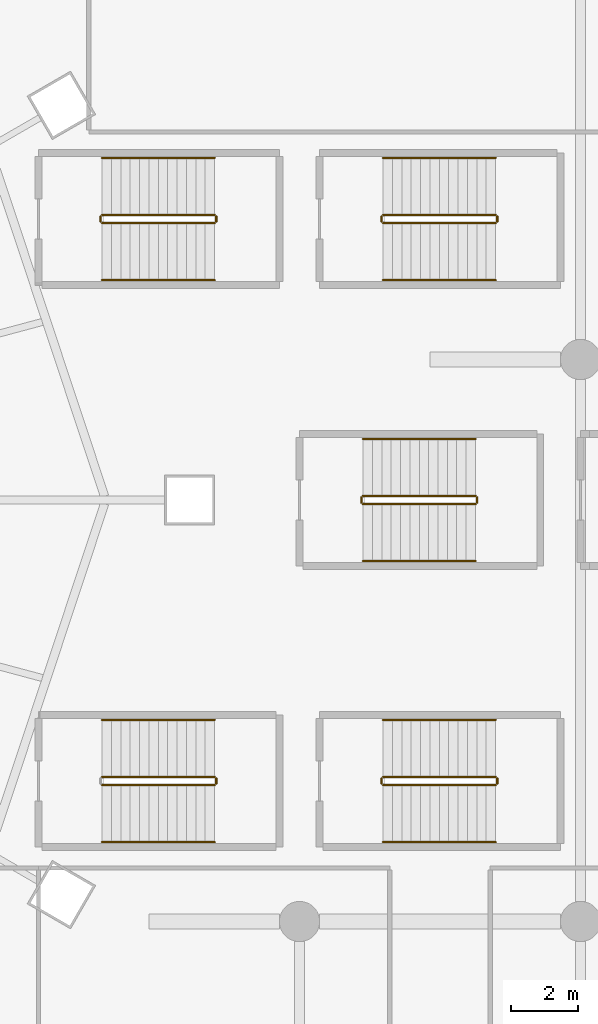
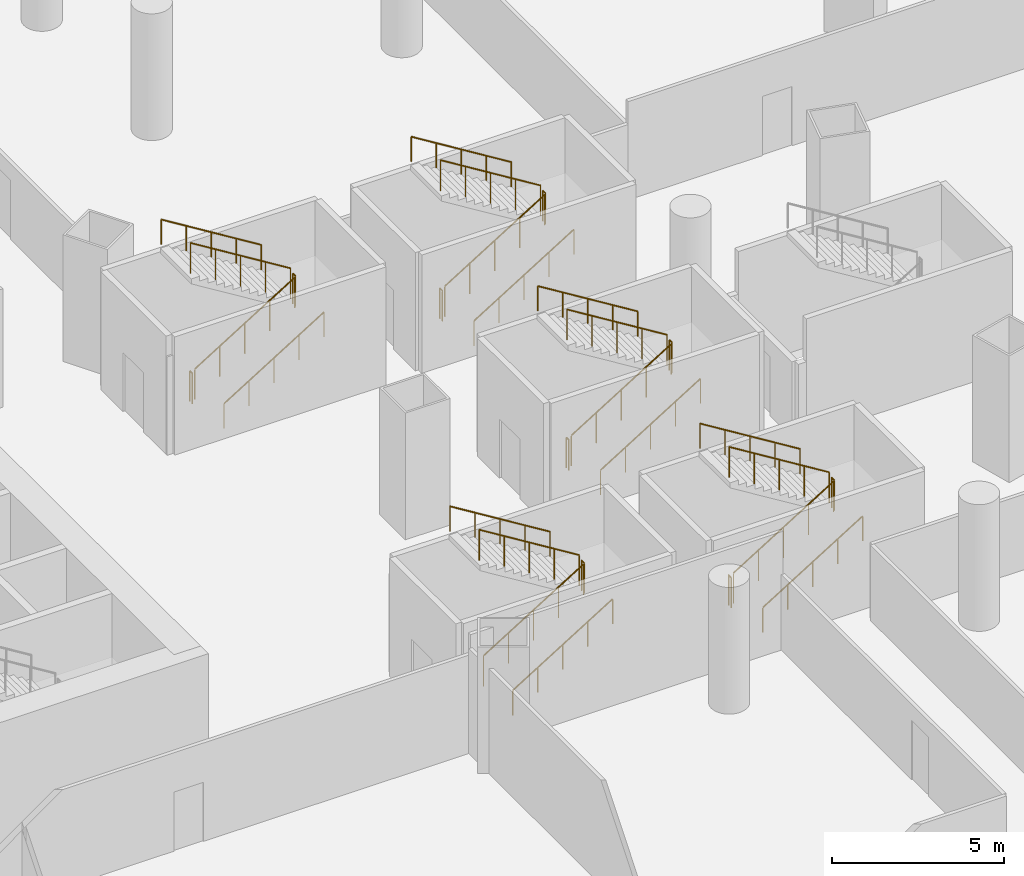
# One storey, part 38 of 43: 29 railings.
"""IFC4 building model written with IfcOpenShell, lengths in metres."""

from ifc_helpers import new_model, si_unit, direction, frame, origin, origin_2d, place, context, subcontext, project, spatial, circle, extrude, material, type_object, element, save


model = new_model("IFC4")

# Units and contexts
model_context = context("Model", 3, precision=1e-05, world=origin(), true_north=direction((0.0, 1.0)))
body_context = subcontext(model_context, "Body", "Model", "MODEL_VIEW")
ifc_project = project(units=[si_unit("LENGTHUNIT", "METRE"), si_unit("AREAUNIT", "SQUARE_METRE"), si_unit("VOLUMEUNIT", "CUBIC_METRE"), si_unit("PLANEANGLEUNIT", "RADIAN"), si_unit("MASSUNIT", "GRAM", prefix="KILO")], contexts=[model_context])

# Site, building, storey
site_placement = place(None, origin())
site = spatial("IfcSite", under=ifc_project, at=site_placement, CompositionType="ELEMENT")
building_placement = place(site_placement, origin())
building = spatial("IfcBuilding", under=site, at=building_placement, Name="Rimbun Link Towers", CompositionType="ELEMENT")
storey_placement = place(building_placement, frame((0.0, 0.0, 12.0)))
storey = spatial("IfcBuildingStorey", under=building, at=storey_placement, Name="L02", CompositionType="ELEMENT", Elevation=12.0)

# Railings
ifc_material_1 = material(Name="Stainless steel grade 316", Category="steel")
railing_type_1 = type_object("IfcRailingType", Name="Stair guard", PredefinedType="GUARDRAIL", material=ifc_material_1)
railing_1_placement = place(storey_placement, frame((-10.10009765625, -8.52490234375, 0.173095703125)))
element("IfcRailing", 1, at=railing_1_placement, inside=storey, type_object=railing_type_1, Name="L02 PS1 stair guard 1", PredefinedType="GUARDRAIL", context=body_context, shape_type="SweptSolid", body=[
    extrude(circle(Radius=0.02392578125, at=origin_2d()), frame((0.0, 0.0, 1.076171875), z_axis=(0.850623216509, 0.0, 0.525775754039), x_axis=(0.0, 1.0, 0.0)), (0.0, 0.0, 1.0), 3.9501953125),
    extrude(circle(Radius=0.02099609375, at=origin_2d()), origin(), (0.0, 0.0, 1.0), 1.052001953125),
    extrude(circle(Radius=0.02099609375, at=origin_2d()), frame((0.840087890625, 0.0, 0.519287109375)), (0.0, 0.0, 1.0), 1.052001953125),
    extrude(circle(Radius=0.02099609375, at=origin_2d()), frame((1.68017578125, 0.0, 1.03857421875)), (0.0, 0.0, 1.0), 1.052001953125),
    extrude(circle(Radius=0.02099609375, at=origin_2d()), frame((2.52001953125, 0.0, 1.5576171875)), (0.0, 0.0, 1.0), 1.052001953125),
    extrude(circle(Radius=0.02099609375, at=origin_2d()), frame((3.360107421875, 0.0, 2.076904296875)), (0.0, 0.0, 1.0), 1.052001953125),
])
railing_2_placement = place(storey_placement, frame((-6.68994140625, -8.47509765625, 2.25)))
element("IfcRailing", 2, at=railing_2_placement, inside=storey, type_object=railing_type_1, Name="L02 PS1 stair guard 2", PredefinedType="GUARDRAIL", context=body_context, shape_type="SweptSolid", body=[
    extrude(circle(Radius=0.02392578125, at=origin_2d()), frame((0.0, 0.0, 1.076171875), z_axis=(0.0, 1.0, 0.0), x_axis=(-1.0, 0.0, 0.0)), (0.0, 0.0, 1.0), 0.150146484375),
    extrude(circle(Radius=0.02099609375, at=origin_2d()), origin(), (0.0, 0.0, 1.0), 1.052001953125),
    extrude(circle(Radius=0.02099609375, at=origin_2d()), frame((0.0, 0.150146484375, 0.0)), (0.0, 0.0, 1.0), 1.052001953125),
])
railing_3_placement = place(storey_placement, frame((-6.739990234375, -8.27490234375, 2.423095703125)))
element("IfcRailing", 3, at=railing_3_placement, inside=storey, type_object=railing_type_1, Name="L02 PS1 stair guard 3", PredefinedType="GUARDRAIL", context=body_context, shape_type="SweptSolid", body=[
    extrude(circle(Radius=0.02392578125, at=origin_2d()), frame((0.0, 0.0, 1.076171875), z_axis=(-0.850623216509, 0.0, 0.525775754039), x_axis=(0.0, -1.0, 0.0)), (0.0, 0.0, 1.0), 3.9501953125),
    extrude(circle(Radius=0.02099609375, at=origin_2d()), origin(), (0.0, 0.0, 1.0), 1.052001953125),
    extrude(circle(Radius=0.02099609375, at=origin_2d()), frame((-0.840087890625, 0.0, 0.519287109375)), (0.0, 0.0, 1.0), 1.052001953125),
    extrude(circle(Radius=0.02099609375, at=origin_2d()), frame((-1.68017578125, 0.0, 1.03857421875)), (0.0, 0.0, 1.0), 1.052001953125),
    extrude(circle(Radius=0.02099609375, at=origin_2d()), frame((-2.52001953125, 0.0, 1.5576171875)), (0.0, 0.0, 1.0), 1.052001953125),
    extrude(circle(Radius=0.02099609375, at=origin_2d()), frame((-3.360107421875, 0.0, 2.076904296875)), (0.0, 0.0, 1.0), 1.052001953125),
])
railing_4_placement = place(storey_placement, frame((-1.699951171875, -8.52490234375, 0.173095703125)))
element("IfcRailing", 4, at=railing_4_placement, inside=storey, type_object=railing_type_1, Name="L02 PS2 stair guard 1", PredefinedType="GUARDRAIL", context=body_context, shape_type="SweptSolid", body=[
    extrude(circle(Radius=0.02392578125, at=origin_2d()), frame((0.0, 0.0, 1.076171875), z_axis=(0.850606129759, 0.0, 0.525803396734), x_axis=(0.0, 1.0, 0.0)), (0.0, 0.0, 1.0), 3.949951171875),
    extrude(circle(Radius=0.02099609375, at=origin_2d()), origin(), (0.0, 0.0, 1.0), 1.052001953125),
    extrude(circle(Radius=0.02099609375, at=origin_2d()), frame((0.83984375, 0.0, 0.519287109375)), (0.0, 0.0, 1.0), 1.052001953125),
    extrude(circle(Radius=0.02099609375, at=origin_2d()), frame((1.679931640625, 0.0, 1.03857421875)), (0.0, 0.0, 1.0), 1.052001953125),
    extrude(circle(Radius=0.02099609375, at=origin_2d()), frame((2.52001953125, 0.0, 1.5576171875)), (0.0, 0.0, 1.0), 1.052001953125),
    extrude(circle(Radius=0.02099609375, at=origin_2d()), frame((3.35986328125, 0.0, 2.076904296875)), (0.0, 0.0, 1.0), 1.052001953125),
])
railing_5_placement = place(storey_placement, frame((1.7099609375, -8.47509765625, 2.25)))
element("IfcRailing", 5, at=railing_5_placement, inside=storey, type_object=railing_type_1, Name="L02 PS2 stair guard 2", PredefinedType="GUARDRAIL", context=body_context, shape_type="SweptSolid", body=[
    extrude(circle(Radius=0.02392578125, at=origin_2d()), frame((0.0, 0.0, 1.076171875), z_axis=(0.0, 1.0, 0.0), x_axis=(-1.0, 0.0, 0.0)), (0.0, 0.0, 1.0), 0.150146484375),
    extrude(circle(Radius=0.02099609375, at=origin_2d()), origin(), (0.0, 0.0, 1.0), 1.052001953125),
    extrude(circle(Radius=0.02099609375, at=origin_2d()), frame((0.0, 0.150146484375, 0.0)), (0.0, 0.0, 1.0), 1.052001953125),
])
railing_6_placement = place(storey_placement, frame((1.659912109375, -8.27490234375, 2.423095703125)))
element("IfcRailing", 6, at=railing_6_placement, inside=storey, type_object=railing_type_1, Name="L02 PS2 stair guard 3", PredefinedType="GUARDRAIL", context=body_context, shape_type="SweptSolid", body=[
    extrude(circle(Radius=0.02392578125, at=origin_2d()), frame((0.0, 0.0, 1.076171875), z_axis=(-0.850606129759, 0.0, 0.525803396734), x_axis=(0.0, -1.0, 0.0)), (0.0, 0.0, 1.0), 3.949951171875),
    extrude(circle(Radius=0.02099609375, at=origin_2d()), origin(), (0.0, 0.0, 1.0), 1.052001953125),
    extrude(circle(Radius=0.02099609375, at=origin_2d()), frame((-0.83984375, 0.0, 0.519287109375)), (0.0, 0.0, 1.0), 1.052001953125),
    extrude(circle(Radius=0.02099609375, at=origin_2d()), frame((-1.679931640625, 0.0, 1.03857421875)), (0.0, 0.0, 1.0), 1.052001953125),
    extrude(circle(Radius=0.02099609375, at=origin_2d()), frame((-2.52001953125, 0.0, 1.5576171875)), (0.0, 0.0, 1.0), 1.052001953125),
    extrude(circle(Radius=0.02099609375, at=origin_2d()), frame((-3.35986328125, 0.0, 2.076904296875)), (0.0, 0.0, 1.0), 1.052001953125),
])
railing_7_placement = place(storey_placement, frame((-1.75, -8.47509765625, 0.0)))
element("IfcRailing", 7, at=railing_7_placement, inside=storey, type_object=railing_type_1, Name="L02 PS2 stair guard 4", PredefinedType="GUARDRAIL", context=body_context, shape_type="SweptSolid", body=[
    extrude(circle(Radius=0.02392578125, at=origin_2d()), frame((0.0, 0.0, 1.076171875), z_axis=(0.0, 1.0, 0.0), x_axis=(-1.0, 0.0, 0.0)), (0.0, 0.0, 1.0), 0.150146484375),
    extrude(circle(Radius=0.02099609375, at=origin_2d()), origin(), (0.0, 0.0, 1.0), 1.052001953125),
    extrude(circle(Radius=0.02099609375, at=origin_2d()), frame((0.0, 0.150146484375, 0.0)), (0.0, 0.0, 1.0), 1.052001953125),
])
railing_8_placement = place(storey_placement, frame((-10.10009765625, 8.27490234375, 0.173095703125)))
element("IfcRailing", 8, at=railing_8_placement, inside=storey, type_object=railing_type_1, Name="L02 PS3 stair guard 1", PredefinedType="GUARDRAIL", context=body_context, shape_type="SweptSolid", body=[
    extrude(circle(Radius=0.02392578125, at=origin_2d()), frame((0.0, 0.0, 1.076171875), z_axis=(0.850623216509, 0.0, 0.525775754039), x_axis=(0.0, 1.0, 0.0)), (0.0, 0.0, 1.0), 3.9501953125),
    extrude(circle(Radius=0.02099609375, at=origin_2d()), origin(), (0.0, 0.0, 1.0), 1.052001953125),
    extrude(circle(Radius=0.02099609375, at=origin_2d()), frame((0.840087890625, 0.0, 0.519287109375)), (0.0, 0.0, 1.0), 1.052001953125),
    extrude(circle(Radius=0.02099609375, at=origin_2d()), frame((1.68017578125, 0.0, 1.03857421875)), (0.0, 0.0, 1.0), 1.052001953125),
    extrude(circle(Radius=0.02099609375, at=origin_2d()), frame((2.52001953125, 0.0, 1.5576171875)), (0.0, 0.0, 1.0), 1.052001953125),
    extrude(circle(Radius=0.02099609375, at=origin_2d()), frame((3.360107421875, 0.0, 2.076904296875)), (0.0, 0.0, 1.0), 1.052001953125),
])
railing_9_placement = place(storey_placement, frame((-6.68994140625, 8.324951171875, 2.25)))
element("IfcRailing", 9, at=railing_9_placement, inside=storey, type_object=railing_type_1, Name="L02 PS3 stair guard 2", PredefinedType="GUARDRAIL", context=body_context, shape_type="SweptSolid", body=[
    extrude(circle(Radius=0.02392578125, at=origin_2d()), frame((0.0, 0.0, 1.076171875), z_axis=(0.0, 1.0, 0.0), x_axis=(-1.0, 0.0, 0.0)), (0.0, 0.0, 1.0), 0.150146484375),
    extrude(circle(Radius=0.02099609375, at=origin_2d()), origin(), (0.0, 0.0, 1.0), 1.052001953125),
    extrude(circle(Radius=0.02099609375, at=origin_2d()), frame((0.0, 0.150146484375, 0.0)), (0.0, 0.0, 1.0), 1.052001953125),
])
railing_10_placement = place(storey_placement, frame((-6.739990234375, 8.52490234375, 2.423095703125)))
element("IfcRailing", 10, at=railing_10_placement, inside=storey, type_object=railing_type_1, Name="L02 PS3 stair guard 3", PredefinedType="GUARDRAIL", context=body_context, shape_type="SweptSolid", body=[
    extrude(circle(Radius=0.02392578125, at=origin_2d()), frame((0.0, 0.0, 1.076171875), z_axis=(-0.850623216509, 0.0, 0.525775754039), x_axis=(0.0, -1.0, 0.0)), (0.0, 0.0, 1.0), 3.9501953125),
    extrude(circle(Radius=0.02099609375, at=origin_2d()), origin(), (0.0, 0.0, 1.0), 1.052001953125),
    extrude(circle(Radius=0.02099609375, at=origin_2d()), frame((-0.840087890625, 0.0, 0.519287109375)), (0.0, 0.0, 1.0), 1.052001953125),
    extrude(circle(Radius=0.02099609375, at=origin_2d()), frame((-1.68017578125, 0.0, 1.03857421875)), (0.0, 0.0, 1.0), 1.052001953125),
    extrude(circle(Radius=0.02099609375, at=origin_2d()), frame((-2.52001953125, 0.0, 1.5576171875)), (0.0, 0.0, 1.0), 1.052001953125),
    extrude(circle(Radius=0.02099609375, at=origin_2d()), frame((-3.360107421875, 0.0, 2.076904296875)), (0.0, 0.0, 1.0), 1.052001953125),
])
railing_11_placement = place(storey_placement, frame((-10.14990234375, 8.324951171875, 0.0)))
element("IfcRailing", 11, at=railing_11_placement, inside=storey, type_object=railing_type_1, Name="L02 PS3 stair guard 4", PredefinedType="GUARDRAIL", context=body_context, shape_type="SweptSolid", body=[
    extrude(circle(Radius=0.02392578125, at=origin_2d()), frame((0.0, 0.0, 1.076171875), z_axis=(0.0, 1.0, 0.0), x_axis=(-1.0, 0.0, 0.0)), (0.0, 0.0, 1.0), 0.150146484375),
    extrude(circle(Radius=0.02099609375, at=origin_2d()), origin(), (0.0, 0.0, 1.0), 1.052001953125),
    extrude(circle(Radius=0.02099609375, at=origin_2d()), frame((0.0, 0.150146484375, 0.0)), (0.0, 0.0, 1.0), 1.052001953125),
])
railing_12_placement = place(storey_placement, frame((-1.699951171875, 8.27490234375, 0.173095703125)))
element("IfcRailing", 12, at=railing_12_placement, inside=storey, type_object=railing_type_1, Name="L02 PS4 stair guard 1", PredefinedType="GUARDRAIL", context=body_context, shape_type="SweptSolid", body=[
    extrude(circle(Radius=0.02392578125, at=origin_2d()), frame((0.0, 0.0, 1.076171875), z_axis=(0.850606129759, 0.0, 0.525803396734), x_axis=(0.0, 1.0, 0.0)), (0.0, 0.0, 1.0), 3.949951171875),
    extrude(circle(Radius=0.02099609375, at=origin_2d()), origin(), (0.0, 0.0, 1.0), 1.052001953125),
    extrude(circle(Radius=0.02099609375, at=origin_2d()), frame((0.83984375, 0.0, 0.519287109375)), (0.0, 0.0, 1.0), 1.052001953125),
    extrude(circle(Radius=0.02099609375, at=origin_2d()), frame((1.679931640625, 0.0, 1.03857421875)), (0.0, 0.0, 1.0), 1.052001953125),
    extrude(circle(Radius=0.02099609375, at=origin_2d()), frame((2.52001953125, 0.0, 1.5576171875)), (0.0, 0.0, 1.0), 1.052001953125),
    extrude(circle(Radius=0.02099609375, at=origin_2d()), frame((3.35986328125, 0.0, 2.076904296875)), (0.0, 0.0, 1.0), 1.052001953125),
])
railing_13_placement = place(storey_placement, frame((1.7099609375, 8.324951171875, 2.25)))
element("IfcRailing", 13, at=railing_13_placement, inside=storey, type_object=railing_type_1, Name="L02 PS4 stair guard 2", PredefinedType="GUARDRAIL", context=body_context, shape_type="SweptSolid", body=[
    extrude(circle(Radius=0.02392578125, at=origin_2d()), frame((0.0, 0.0, 1.076171875), z_axis=(0.0, 1.0, 0.0), x_axis=(-1.0, 0.0, 0.0)), (0.0, 0.0, 1.0), 0.150146484375),
    extrude(circle(Radius=0.02099609375, at=origin_2d()), origin(), (0.0, 0.0, 1.0), 1.052001953125),
    extrude(circle(Radius=0.02099609375, at=origin_2d()), frame((0.0, 0.150146484375, 0.0)), (0.0, 0.0, 1.0), 1.052001953125),
])
railing_14_placement = place(storey_placement, frame((1.659912109375, 8.52490234375, 2.423095703125)))
element("IfcRailing", 14, at=railing_14_placement, inside=storey, type_object=railing_type_1, Name="L02 PS4 stair guard 3", PredefinedType="GUARDRAIL", context=body_context, shape_type="SweptSolid", body=[
    extrude(circle(Radius=0.02392578125, at=origin_2d()), frame((0.0, 0.0, 1.076171875), z_axis=(-0.850606129759, 0.0, 0.525803396734), x_axis=(0.0, -1.0, 0.0)), (0.0, 0.0, 1.0), 3.949951171875),
    extrude(circle(Radius=0.02099609375, at=origin_2d()), origin(), (0.0, 0.0, 1.0), 1.052001953125),
    extrude(circle(Radius=0.02099609375, at=origin_2d()), frame((-0.83984375, 0.0, 0.519287109375)), (0.0, 0.0, 1.0), 1.052001953125),
    extrude(circle(Radius=0.02099609375, at=origin_2d()), frame((-1.679931640625, 0.0, 1.03857421875)), (0.0, 0.0, 1.0), 1.052001953125),
    extrude(circle(Radius=0.02099609375, at=origin_2d()), frame((-2.52001953125, 0.0, 1.5576171875)), (0.0, 0.0, 1.0), 1.052001953125),
    extrude(circle(Radius=0.02099609375, at=origin_2d()), frame((-3.35986328125, 0.0, 2.076904296875)), (0.0, 0.0, 1.0), 1.052001953125),
])
railing_15_placement = place(storey_placement, frame((-1.75, 8.324951171875, 0.0)))
element("IfcRailing", 15, at=railing_15_placement, inside=storey, type_object=railing_type_1, Name="L02 PS4 stair guard 4", PredefinedType="GUARDRAIL", context=body_context, shape_type="SweptSolid", body=[
    extrude(circle(Radius=0.02392578125, at=origin_2d()), frame((0.0, 0.0, 1.076171875), z_axis=(0.0, 1.0, 0.0), x_axis=(-1.0, 0.0, 0.0)), (0.0, 0.0, 1.0), 0.150146484375),
    extrude(circle(Radius=0.02099609375, at=origin_2d()), origin(), (0.0, 0.0, 1.0), 1.052001953125),
    extrude(circle(Radius=0.02099609375, at=origin_2d()), frame((0.0, 0.150146484375, 0.0)), (0.0, 0.0, 1.0), 1.052001953125),
])
railing_16_placement = place(storey_placement, frame((-2.300048828125, -0.125, 0.173095703125)))
element("IfcRailing", 16, at=railing_16_placement, inside=storey, type_object=railing_type_1, Name="L02 PS6 stair guard 1", PredefinedType="GUARDRAIL", context=body_context, shape_type="SweptSolid", body=[
    extrude(circle(Radius=0.02392578125, at=origin_2d()), frame((0.0, 0.0, 1.076171875), z_axis=(0.850623216509, 0.0, 0.525775754039), x_axis=(0.0, 1.0, 0.0)), (0.0, 0.0, 1.0), 3.9501953125),
    extrude(circle(Radius=0.02099609375, at=origin_2d()), origin(), (0.0, 0.0, 1.0), 1.052001953125),
    extrude(circle(Radius=0.02099609375, at=origin_2d()), frame((0.840087890625, 0.0, 0.519287109375)), (0.0, 0.0, 1.0), 1.052001953125),
    extrude(circle(Radius=0.02099609375, at=origin_2d()), frame((1.68017578125, 0.0, 1.03857421875)), (0.0, 0.0, 1.0), 1.052001953125),
    extrude(circle(Radius=0.02099609375, at=origin_2d()), frame((2.52001953125, 0.0, 1.5576171875)), (0.0, 0.0, 1.0), 1.052001953125),
    extrude(circle(Radius=0.02099609375, at=origin_2d()), frame((3.360107421875, 0.0, 2.076904296875)), (0.0, 0.0, 1.0), 1.052001953125),
])
railing_17_placement = place(storey_placement, frame((1.110107421875, -0.074951171875, 2.25)))
element("IfcRailing", 17, at=railing_17_placement, inside=storey, type_object=railing_type_1, Name="L02 PS6 stair guard 2", PredefinedType="GUARDRAIL", context=body_context, shape_type="SweptSolid", body=[
    extrude(circle(Radius=0.02392578125, at=origin_2d()), frame((0.0, 0.0, 1.076171875), z_axis=(0.0, 1.0, 0.0), x_axis=(-1.0, 0.0, 0.0)), (0.0, 0.0, 1.0), 0.14990234375),
    extrude(circle(Radius=0.02099609375, at=origin_2d()), origin(), (0.0, 0.0, 1.0), 1.052001953125),
    extrude(circle(Radius=0.02099609375, at=origin_2d()), frame((0.0, 0.14990234375, 0.0)), (0.0, 0.0, 1.0), 1.052001953125),
])
railing_18_placement = place(storey_placement, frame((1.06005859375, 0.125, 2.423095703125)))
element("IfcRailing", 18, at=railing_18_placement, inside=storey, type_object=railing_type_1, Name="L02 PS6 stair guard 3", PredefinedType="GUARDRAIL", context=body_context, shape_type="SweptSolid", body=[
    extrude(circle(Radius=0.02392578125, at=origin_2d()), frame((0.0, 0.0, 1.076171875), z_axis=(-0.850623216509, 0.0, 0.525775754039), x_axis=(0.0, -1.0, 0.0)), (0.0, 0.0, 1.0), 3.9501953125),
    extrude(circle(Radius=0.02099609375, at=origin_2d()), origin(), (0.0, 0.0, 1.0), 1.052001953125),
    extrude(circle(Radius=0.02099609375, at=origin_2d()), frame((-0.840087890625, 0.0, 0.519287109375)), (0.0, 0.0, 1.0), 1.052001953125),
    extrude(circle(Radius=0.02099609375, at=origin_2d()), frame((-1.68017578125, 0.0, 1.03857421875)), (0.0, 0.0, 1.0), 1.052001953125),
    extrude(circle(Radius=0.02099609375, at=origin_2d()), frame((-2.52001953125, 0.0, 1.5576171875)), (0.0, 0.0, 1.0), 1.052001953125),
    extrude(circle(Radius=0.02099609375, at=origin_2d()), frame((-3.360107421875, 0.0, 2.076904296875)), (0.0, 0.0, 1.0), 1.052001953125),
])
railing_19_placement = place(storey_placement, frame((-2.35009765625, -0.074951171875, 0.0)))
element("IfcRailing", 19, at=railing_19_placement, inside=storey, type_object=railing_type_1, Name="L02 PS6 stair guard 4", PredefinedType="GUARDRAIL", context=body_context, shape_type="SweptSolid", body=[
    extrude(circle(Radius=0.02392578125, at=origin_2d()), frame((0.0, 0.0, 1.076171875), z_axis=(0.0, 1.0, 0.0), x_axis=(-1.0, 0.0, 0.0)), (0.0, 0.0, 1.0), 0.14990234375),
    extrude(circle(Radius=0.02099609375, at=origin_2d()), origin(), (0.0, 0.0, 1.0), 1.052001953125),
    extrude(circle(Radius=0.02099609375, at=origin_2d()), frame((0.0, 0.14990234375, 0.0)), (0.0, 0.0, 1.0), 1.052001953125),
])
ifc_material_2 = material(Name="Stainless steel grade 316", Category="steel")
railing_type_2 = type_object("IfcRailingType", Name="Stair handrail", PredefinedType="HANDRAIL", material=ifc_material_2)
railing_20_placement = place(storey_placement, frame((-10.10009765625, -10.22509765625, 0.173095703125)))
element("IfcRailing", 20, at=railing_20_placement, inside=storey, type_object=railing_type_2, Name="L02 PS1 stair handrail 1", PredefinedType="HANDRAIL", context=body_context, shape_type="SweptSolid", body=[
    extrude(circle(Radius=0.02392578125, at=origin_2d()), frame((0.0, 0.0, 0.8759765625), z_axis=(0.850623216509, 0.0, 0.525775754039), x_axis=(0.0, 1.0, 0.0)), (0.0, 0.0, 1.0), 3.9501953125),
    extrude(circle(Radius=0.02099609375, at=origin_2d()), origin(), (0.0, 0.0, 1.0), 0.851806640625),
    extrude(circle(Radius=0.02099609375, at=origin_2d()), frame((0.840087890625, 0.0, 0.519287109375)), (0.0, 0.0, 1.0), 0.851806640625),
    extrude(circle(Radius=0.02099609375, at=origin_2d()), frame((1.68017578125, 0.0, 1.03857421875)), (0.0, 0.0, 1.0), 0.851806640625),
    extrude(circle(Radius=0.02099609375, at=origin_2d()), frame((2.52001953125, 0.0, 1.5576171875)), (0.0, 0.0, 1.0), 0.851806640625),
    extrude(circle(Radius=0.02099609375, at=origin_2d()), frame((3.360107421875, 0.0, 2.076904296875)), (0.0, 0.0, 1.0), 0.851806640625),
])
railing_21_placement = place(storey_placement, frame((-6.739990234375, -6.574951171875, 2.423095703125)))
element("IfcRailing", 21, at=railing_21_placement, inside=storey, type_object=railing_type_2, Name="L02 PS1 stair handrail 2", PredefinedType="HANDRAIL", context=body_context, shape_type="SweptSolid", body=[
    extrude(circle(Radius=0.02392578125, at=origin_2d()), frame((0.0, 0.0, 0.8759765625), z_axis=(-0.850623216509, 0.0, 0.525775754039), x_axis=(0.0, -1.0, 0.0)), (0.0, 0.0, 1.0), 3.9501953125),
    extrude(circle(Radius=0.02099609375, at=origin_2d()), origin(), (0.0, 0.0, 1.0), 0.851806640625),
    extrude(circle(Radius=0.02099609375, at=origin_2d()), frame((-0.840087890625, 0.0, 0.519287109375)), (0.0, 0.0, 1.0), 0.851806640625),
    extrude(circle(Radius=0.02099609375, at=origin_2d()), frame((-1.68017578125, 0.0, 1.03857421875)), (0.0, 0.0, 1.0), 0.851806640625),
    extrude(circle(Radius=0.02099609375, at=origin_2d()), frame((-2.52001953125, 0.0, 1.5576171875)), (0.0, 0.0, 1.0), 0.851806640625),
    extrude(circle(Radius=0.02099609375, at=origin_2d()), frame((-3.360107421875, 0.0, 2.076904296875)), (0.0, 0.0, 1.0), 0.851806640625),
])
railing_22_placement = place(storey_placement, frame((-1.699951171875, -10.22509765625, 0.173095703125)))
element("IfcRailing", 22, at=railing_22_placement, inside=storey, type_object=railing_type_2, Name="L02 PS2 stair handrail 1", PredefinedType="HANDRAIL", context=body_context, shape_type="SweptSolid", body=[
    extrude(circle(Radius=0.02392578125, at=origin_2d()), frame((0.0, 0.0, 0.8759765625), z_axis=(0.850606129759, 0.0, 0.525803396734), x_axis=(0.0, 1.0, 0.0)), (0.0, 0.0, 1.0), 3.949951171875),
    extrude(circle(Radius=0.02099609375, at=origin_2d()), origin(), (0.0, 0.0, 1.0), 0.851806640625),
    extrude(circle(Radius=0.02099609375, at=origin_2d()), frame((0.83984375, 0.0, 0.519287109375)), (0.0, 0.0, 1.0), 0.851806640625),
    extrude(circle(Radius=0.02099609375, at=origin_2d()), frame((1.679931640625, 0.0, 1.03857421875)), (0.0, 0.0, 1.0), 0.851806640625),
    extrude(circle(Radius=0.02099609375, at=origin_2d()), frame((2.52001953125, 0.0, 1.5576171875)), (0.0, 0.0, 1.0), 0.851806640625),
    extrude(circle(Radius=0.02099609375, at=origin_2d()), frame((3.35986328125, 0.0, 2.076904296875)), (0.0, 0.0, 1.0), 0.851806640625),
])
railing_23_placement = place(storey_placement, frame((1.659912109375, -6.574951171875, 2.423095703125)))
element("IfcRailing", 23, at=railing_23_placement, inside=storey, type_object=railing_type_2, Name="L02 PS2 stair handrail 2", PredefinedType="HANDRAIL", context=body_context, shape_type="SweptSolid", body=[
    extrude(circle(Radius=0.02392578125, at=origin_2d()), frame((0.0, 0.0, 0.8759765625), z_axis=(-0.850606129759, 0.0, 0.525803396734), x_axis=(0.0, -1.0, 0.0)), (0.0, 0.0, 1.0), 3.949951171875),
    extrude(circle(Radius=0.02099609375, at=origin_2d()), origin(), (0.0, 0.0, 1.0), 0.851806640625),
    extrude(circle(Radius=0.02099609375, at=origin_2d()), frame((-0.83984375, 0.0, 0.519287109375)), (0.0, 0.0, 1.0), 0.851806640625),
    extrude(circle(Radius=0.02099609375, at=origin_2d()), frame((-1.679931640625, 0.0, 1.03857421875)), (0.0, 0.0, 1.0), 0.851806640625),
    extrude(circle(Radius=0.02099609375, at=origin_2d()), frame((-2.52001953125, 0.0, 1.5576171875)), (0.0, 0.0, 1.0), 0.851806640625),
    extrude(circle(Radius=0.02099609375, at=origin_2d()), frame((-3.35986328125, 0.0, 2.076904296875)), (0.0, 0.0, 1.0), 0.851806640625),
])
railing_24_placement = place(storey_placement, frame((-10.10009765625, 6.574951171875, 0.173095703125)))
element("IfcRailing", 24, at=railing_24_placement, inside=storey, type_object=railing_type_2, Name="L02 PS3 stair handrail 1", PredefinedType="HANDRAIL", context=body_context, shape_type="SweptSolid", body=[
    extrude(circle(Radius=0.02392578125, at=origin_2d()), frame((0.0, 0.0, 0.8759765625), z_axis=(0.850623216509, 0.0, 0.525775754039), x_axis=(0.0, 1.0, 0.0)), (0.0, 0.0, 1.0), 3.9501953125),
    extrude(circle(Radius=0.02099609375, at=origin_2d()), origin(), (0.0, 0.0, 1.0), 0.851806640625),
    extrude(circle(Radius=0.02099609375, at=origin_2d()), frame((0.840087890625, 0.0, 0.519287109375)), (0.0, 0.0, 1.0), 0.851806640625),
    extrude(circle(Radius=0.02099609375, at=origin_2d()), frame((1.68017578125, 0.0, 1.03857421875)), (0.0, 0.0, 1.0), 0.851806640625),
    extrude(circle(Radius=0.02099609375, at=origin_2d()), frame((2.52001953125, 0.0, 1.5576171875)), (0.0, 0.0, 1.0), 0.851806640625),
    extrude(circle(Radius=0.02099609375, at=origin_2d()), frame((3.360107421875, 0.0, 2.076904296875)), (0.0, 0.0, 1.0), 0.851806640625),
])
railing_25_placement = place(storey_placement, frame((-6.739990234375, 10.22509765625, 2.423095703125)))
element("IfcRailing", 25, at=railing_25_placement, inside=storey, type_object=railing_type_2, Name="L02 PS3 stair handrail 2", PredefinedType="HANDRAIL", context=body_context, shape_type="SweptSolid", body=[
    extrude(circle(Radius=0.02392578125, at=origin_2d()), frame((0.0, 0.0, 0.8759765625), z_axis=(-0.850623216509, 0.0, 0.525775754039), x_axis=(0.0, -1.0, 0.0)), (0.0, 0.0, 1.0), 3.9501953125),
    extrude(circle(Radius=0.02099609375, at=origin_2d()), origin(), (0.0, 0.0, 1.0), 0.851806640625),
    extrude(circle(Radius=0.02099609375, at=origin_2d()), frame((-0.840087890625, 0.0, 0.519287109375)), (0.0, 0.0, 1.0), 0.851806640625),
    extrude(circle(Radius=0.02099609375, at=origin_2d()), frame((-1.68017578125, 0.0, 1.03857421875)), (0.0, 0.0, 1.0), 0.851806640625),
    extrude(circle(Radius=0.02099609375, at=origin_2d()), frame((-2.52001953125, 0.0, 1.5576171875)), (0.0, 0.0, 1.0), 0.851806640625),
    extrude(circle(Radius=0.02099609375, at=origin_2d()), frame((-3.360107421875, 0.0, 2.076904296875)), (0.0, 0.0, 1.0), 0.851806640625),
])
railing_26_placement = place(storey_placement, frame((-1.699951171875, 6.574951171875, 0.173095703125)))
element("IfcRailing", 26, at=railing_26_placement, inside=storey, type_object=railing_type_2, Name="L02 PS4 stair handrail 1", PredefinedType="HANDRAIL", context=body_context, shape_type="SweptSolid", body=[
    extrude(circle(Radius=0.02392578125, at=origin_2d()), frame((0.0, 0.0, 0.8759765625), z_axis=(0.850606129759, 0.0, 0.525803396734), x_axis=(0.0, 1.0, 0.0)), (0.0, 0.0, 1.0), 3.949951171875),
    extrude(circle(Radius=0.02099609375, at=origin_2d()), origin(), (0.0, 0.0, 1.0), 0.851806640625),
    extrude(circle(Radius=0.02099609375, at=origin_2d()), frame((0.83984375, 0.0, 0.519287109375)), (0.0, 0.0, 1.0), 0.851806640625),
    extrude(circle(Radius=0.02099609375, at=origin_2d()), frame((1.679931640625, 0.0, 1.03857421875)), (0.0, 0.0, 1.0), 0.851806640625),
    extrude(circle(Radius=0.02099609375, at=origin_2d()), frame((2.52001953125, 0.0, 1.5576171875)), (0.0, 0.0, 1.0), 0.851806640625),
    extrude(circle(Radius=0.02099609375, at=origin_2d()), frame((3.35986328125, 0.0, 2.076904296875)), (0.0, 0.0, 1.0), 0.851806640625),
])
railing_27_placement = place(storey_placement, frame((1.659912109375, 10.22509765625, 2.423095703125)))
element("IfcRailing", 27, at=railing_27_placement, inside=storey, type_object=railing_type_2, Name="L02 PS4 stair handrail 2", PredefinedType="HANDRAIL", context=body_context, shape_type="SweptSolid", body=[
    extrude(circle(Radius=0.02392578125, at=origin_2d()), frame((0.0, 0.0, 0.8759765625), z_axis=(-0.850606129759, 0.0, 0.525803396734), x_axis=(0.0, -1.0, 0.0)), (0.0, 0.0, 1.0), 3.949951171875),
    extrude(circle(Radius=0.02099609375, at=origin_2d()), origin(), (0.0, 0.0, 1.0), 0.851806640625),
    extrude(circle(Radius=0.02099609375, at=origin_2d()), frame((-0.83984375, 0.0, 0.519287109375)), (0.0, 0.0, 1.0), 0.851806640625),
    extrude(circle(Radius=0.02099609375, at=origin_2d()), frame((-1.679931640625, 0.0, 1.03857421875)), (0.0, 0.0, 1.0), 0.851806640625),
    extrude(circle(Radius=0.02099609375, at=origin_2d()), frame((-2.52001953125, 0.0, 1.5576171875)), (0.0, 0.0, 1.0), 0.851806640625),
    extrude(circle(Radius=0.02099609375, at=origin_2d()), frame((-3.35986328125, 0.0, 2.076904296875)), (0.0, 0.0, 1.0), 0.851806640625),
])
railing_28_placement = place(storey_placement, frame((-2.300048828125, -1.824951171875, 0.173095703125)))
element("IfcRailing", 28, at=railing_28_placement, inside=storey, type_object=railing_type_2, Name="L02 PS6 stair handrail 1", PredefinedType="HANDRAIL", context=body_context, shape_type="SweptSolid", body=[
    extrude(circle(Radius=0.02392578125, at=origin_2d()), frame((0.0, 0.0, 0.8759765625), z_axis=(0.850623216509, 0.0, 0.525775754039), x_axis=(0.0, 1.0, 0.0)), (0.0, 0.0, 1.0), 3.9501953125),
    extrude(circle(Radius=0.02099609375, at=origin_2d()), origin(), (0.0, 0.0, 1.0), 0.851806640625),
    extrude(circle(Radius=0.02099609375, at=origin_2d()), frame((0.840087890625, 0.0, 0.519287109375)), (0.0, 0.0, 1.0), 0.851806640625),
    extrude(circle(Radius=0.02099609375, at=origin_2d()), frame((1.68017578125, 0.0, 1.03857421875)), (0.0, 0.0, 1.0), 0.851806640625),
    extrude(circle(Radius=0.02099609375, at=origin_2d()), frame((2.52001953125, 0.0, 1.5576171875)), (0.0, 0.0, 1.0), 0.851806640625),
    extrude(circle(Radius=0.02099609375, at=origin_2d()), frame((3.360107421875, 0.0, 2.076904296875)), (0.0, 0.0, 1.0), 0.851806640625),
])
railing_29_placement = place(storey_placement, frame((1.06005859375, 1.824951171875, 2.423095703125)))
element("IfcRailing", 29, at=railing_29_placement, inside=storey, type_object=railing_type_2, Name="L02 PS6 stair handrail 2", PredefinedType="HANDRAIL", context=body_context, shape_type="SweptSolid", body=[
    extrude(circle(Radius=0.02392578125, at=origin_2d()), frame((0.0, 0.0, 0.8759765625), z_axis=(-0.850623216509, 0.0, 0.525775754039), x_axis=(0.0, -1.0, 0.0)), (0.0, 0.0, 1.0), 3.9501953125),
    extrude(circle(Radius=0.02099609375, at=origin_2d()), origin(), (0.0, 0.0, 1.0), 0.851806640625),
    extrude(circle(Radius=0.02099609375, at=origin_2d()), frame((-0.840087890625, 0.0, 0.519287109375)), (0.0, 0.0, 1.0), 0.851806640625),
    extrude(circle(Radius=0.02099609375, at=origin_2d()), frame((-1.68017578125, 0.0, 1.03857421875)), (0.0, 0.0, 1.0), 0.851806640625),
    extrude(circle(Radius=0.02099609375, at=origin_2d()), frame((-2.52001953125, 0.0, 1.5576171875)), (0.0, 0.0, 1.0), 0.851806640625),
    extrude(circle(Radius=0.02099609375, at=origin_2d()), frame((-3.360107421875, 0.0, 2.076904296875)), (0.0, 0.0, 1.0), 0.851806640625),
])

save(model, "model.ifc")
